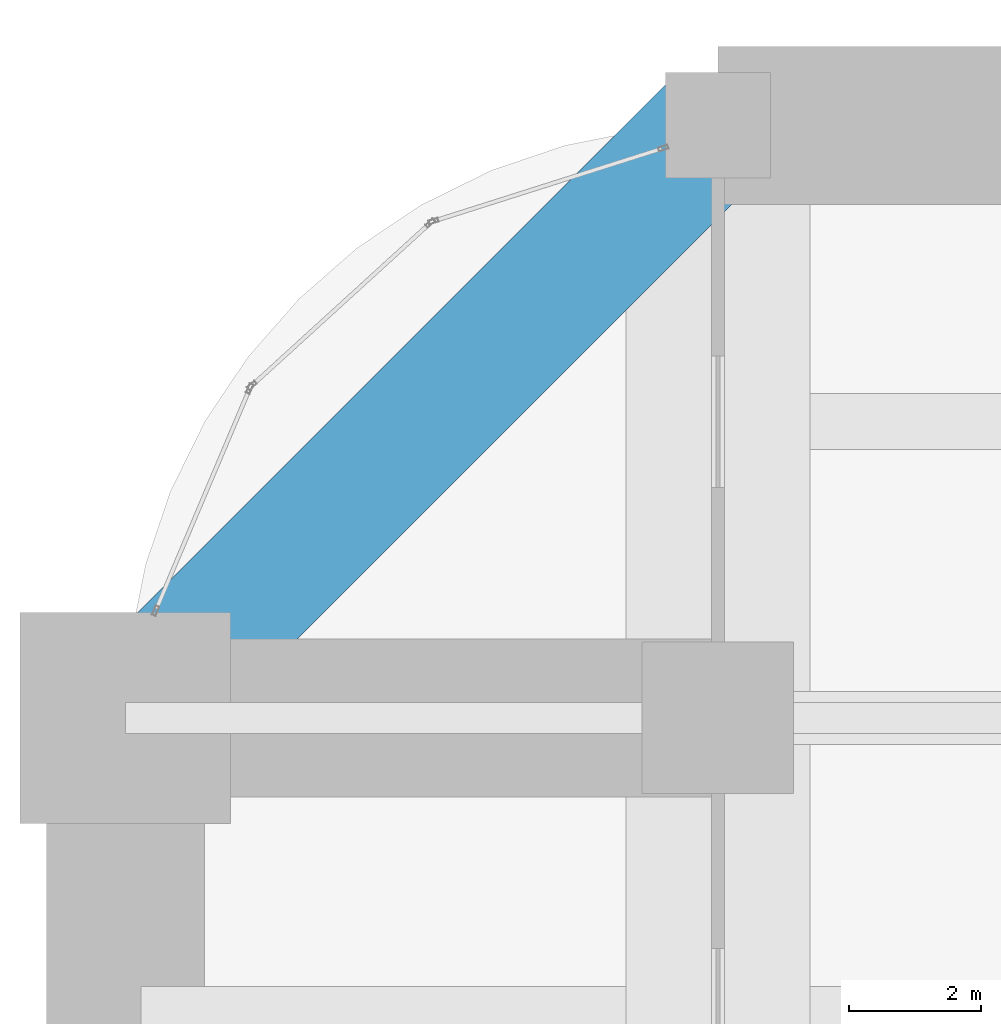
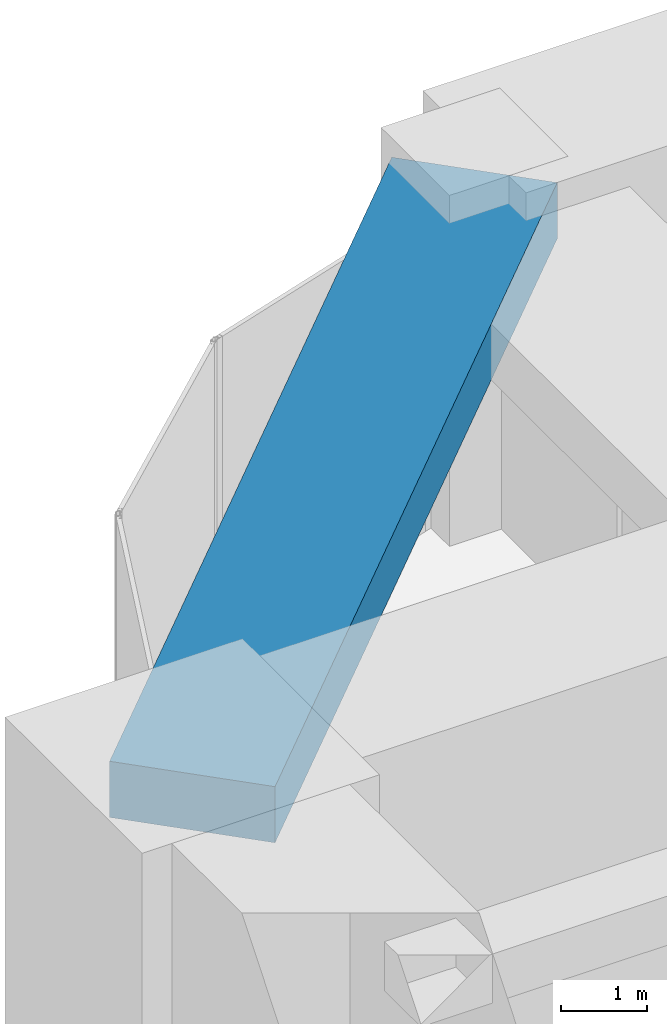
# One storey, part 19 of 32: 1 beam.
"""IFC4 building model written with IfcOpenShell, lengths in metres."""

from ifc_helpers import new_model, si_unit, direction, frame, origin, origin_2d, place, context, subcontext, project, spatial, rectangle, extrude, material, material_profile, profile_set, type_object, element, save


model = new_model("IFC4")

# Units and contexts
model_context = context("Model", 3, precision=1e-05, world=origin(), true_north=direction((0.0, 1.0)))
body_context = subcontext(model_context, "Body", "Model", "MODEL_VIEW")
ifc_project = project(units=[si_unit("LENGTHUNIT", "METRE"), si_unit("AREAUNIT", "SQUARE_METRE"), si_unit("VOLUMEUNIT", "CUBIC_METRE"), si_unit("PLANEANGLEUNIT", "RADIAN"), si_unit("MASSUNIT", "GRAM", prefix="KILO")], contexts=[model_context])

# Site, building, storey
site_placement = place(None, origin())
site = spatial("IfcSite", under=ifc_project, at=site_placement, CompositionType="ELEMENT")
building_placement = place(site_placement, origin())
building = spatial("IfcBuilding", under=site, at=building_placement, Name="Zorevar Civic Tower", CompositionType="ELEMENT")
storey_placement = place(building_placement, frame((0.0, 0.0, 234.39990234375)))
storey = spatial("IfcBuildingStorey", under=building, at=storey_placement, Name="L57", CompositionType="ELEMENT", Elevation=234.39990234375)

# Beam
ifc_material = material(Name="Concrete C50/60", Category="concrete")
ifc_material_profile = material_profile(ifc_material, rectangle(XDim=2.0, YDim=0.800048828125, at=origin_2d()), Name="RC 2000x800")
ifc_profile_set = profile_set([ifc_material_profile], Name="Concrete C50/60")
beam_type = type_object("IfcBeamType", Name="Edge beam RC 2000x800", PredefinedType="SPANDREL", material=ifc_profile_set)
beam_placement = place(storey_placement, frame((9.0, 45.0, 4.2001953125), z_axis=(-0.707106781187, -0.707106781187, 0.0), x_axis=(0.707106781187, -0.707106781187, 0.0)))
element("IfcBeam", 1, at=beam_placement, inside=storey, type_object=beam_type, Name="Corner edge beam L58", PredefinedType="SPANDREL", context=body_context, shape_type="SweptSolid", body=[
    extrude(rectangle(XDim=2.0, YDim=0.800048828125, at=origin_2d()), origin(), (0.0, 0.0, 1.0), 12.72802734375),
])

save(model, "model.ifc")
